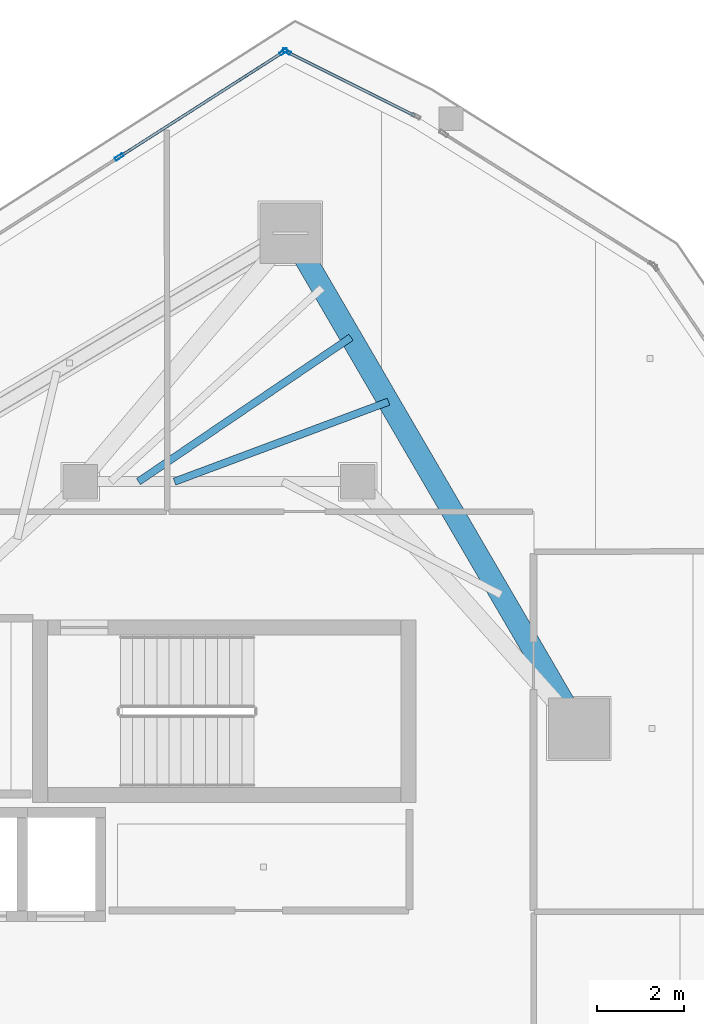
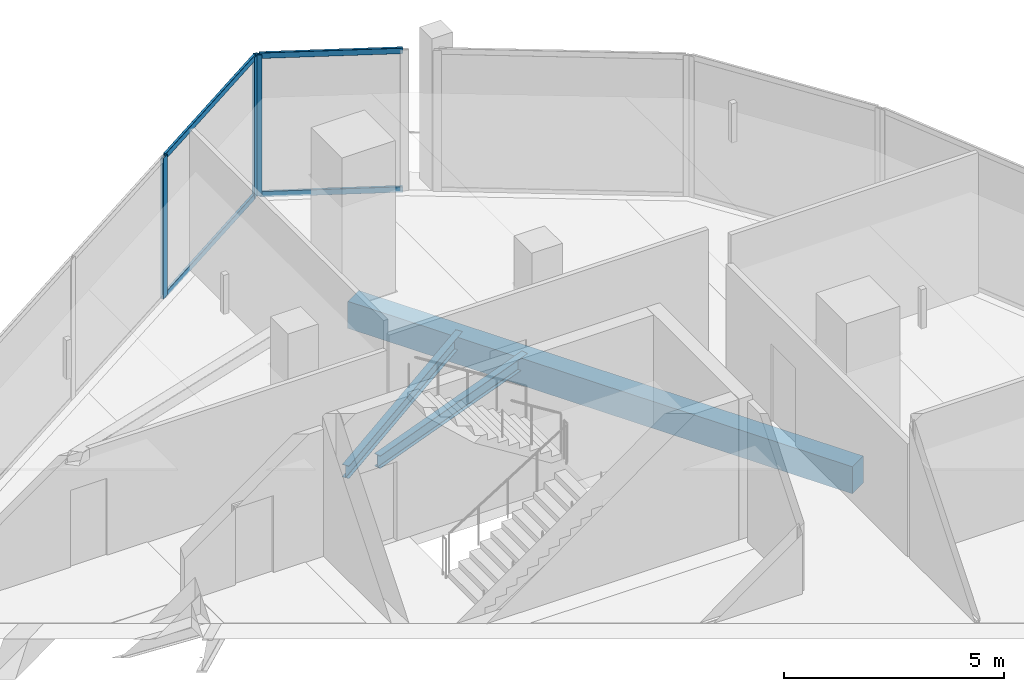
# One storey, part 14 of 25: 7 members, 3 beams, 2 elements without a shape of their own.
"""IFC4 building model written with IfcOpenShell, lengths in metres."""

from ifc_helpers import new_model, si_unit, direction, frame, origin, origin_2d, place, context, subcontext, project, spatial, rectangle, hollow_rectangle, i_section, extrude, material, layer, layer_set, material_profile, profile_set, type_object, element, aggregate, save


model = new_model("IFC4")

# Units and contexts
model_context = context("Model", 3, precision=1e-05, world=origin(), true_north=direction((0.0, 1.0)))
body_context = subcontext(model_context, "Body", "Model", "MODEL_VIEW")
ifc_project = project(units=[si_unit("LENGTHUNIT", "METRE"), si_unit("AREAUNIT", "SQUARE_METRE"), si_unit("VOLUMEUNIT", "CUBIC_METRE"), si_unit("PLANEANGLEUNIT", "RADIAN"), si_unit("MASSUNIT", "GRAM", prefix="KILO")], contexts=[model_context])

# Site, building, storey
site_placement = place(None, origin())
site = spatial("IfcSite", under=ifc_project, at=site_placement, CompositionType="ELEMENT")
building_placement = place(site_placement, origin())
building = spatial("IfcBuilding", under=site, at=building_placement, Name="Qorvath Tower", CompositionType="ELEMENT")
storey_placement = place(building_placement, frame((0.0, 0.0, 314.39990234375)))
storey = spatial("IfcBuildingStorey", under=building, at=storey_placement, Name="L73", CompositionType="ELEMENT", Elevation=314.39990234375)

# Beams
ifc_material_1 = material(Name="Steel ASTM A992 Grade 50", Category="steel")
ifc_material_profile_1 = material_profile(ifc_material_1, i_section(OverallWidth=0.1708984375, OverallDepth=0.35107421875, WebThickness=0.0068359375, FlangeThickness=0.009765625, FilletRadius=0.010009765625, at=origin_2d()), Name="W14x30")
ifc_profile_set_1 = profile_set([ifc_material_profile_1], Name="Steel ASTM A992 Grade 50")
beam_type_1 = type_object("IfcBeamType", Name="BM-FJ4", PredefinedType="JOIST", material=ifc_profile_set_1)
beam_1_placement = place(storey_placement, frame((-21.424072265625, 11.449951171875, -0.46533203125), z_axis=(0.936775909139, 0.349929844478, 0.0), x_axis=(-0.349929844478, 0.936775909139, 0.0)))
element("IfcBeam", 1, at=beam_1_placement, inside=storey, type_object=beam_type_1, Name="Composite Floor Joist NE5 L73", PredefinedType="JOIST", context=body_context, shape_type="SweptSolid", body=[
    extrude(i_section(OverallWidth=0.1708984375, OverallDepth=0.35107421875, WebThickness=0.0068359375, FlangeThickness=0.009765625, FilletRadius=0.010009765625, at=origin_2d()), origin(), (0.0, 0.0, 1.0), 5.268798828125),
])
beam_2_placement = place(storey_placement, frame((-22.256103515625, 11.449951171875, -0.46533203125), z_axis=(0.827400561462, 0.56161224247, 0.0), x_axis=(-0.56161224247, 0.827400561462, 0.0)))
element("IfcBeam", 2, at=beam_2_placement, inside=storey, type_object=beam_type_1, Name="Composite Floor Joist NE6 L73", PredefinedType="JOIST", context=body_context, shape_type="SweptSolid", body=[
    extrude(i_section(OverallWidth=0.1708984375, OverallDepth=0.35107421875, WebThickness=0.0068359375, FlangeThickness=0.009765625, FilletRadius=0.010009765625, at=origin_2d()), origin(), (0.0, 0.0, 1.0), 5.925537109375),
])
ifc_material_2 = material(Name="Concrete C45/55", Category="concrete")
ifc_material_profile_2 = material_profile(ifc_material_2, rectangle(XDim=0.5, YDim=0.75, at=origin_2d()), Name="RCB 750x500")
ifc_profile_set_2 = profile_set([ifc_material_profile_2], Name="Concrete C45/55")
beam_type_2 = type_object("IfcBeamType", Name="BM-RCB3", PredefinedType="SPANDREL", material=ifc_profile_set_2)
beam_3_placement = place(storey_placement, frame((-12.0966796875, 5.7578125, -0.664794921875), z_axis=(-0.503502256692, 0.863993910572, 0.0), x_axis=(-0.863993910572, -0.503502256692, 0.0)))
element("IfcBeam", 3, at=beam_3_placement, inside=storey, type_object=beam_type_2, Name="Perimeter Loggia Frame Beam MC5-MC6 L73", PredefinedType="SPANDREL", context=body_context, shape_type="SweptSolid", body=[
    extrude(rectangle(XDim=0.5, YDim=0.75, at=origin_2d()), origin(), (0.0, 0.0, 1.0), 13.215087890625),
])

# Curtain wall, member
ifc_material_3 = material(Name="Anodised aluminium and triple low-E glass", Category="aluminium")
ifc_layer = layer(ifc_material_3, 0.179931640625)
ifc_layer_set = layer_set([ifc_layer], Name="CW-SYS-4")
curtain_wall_type = type_object("IfcCurtainWallType", Name="CW-SYS-4", PredefinedType="NOTDEFINED", material=ifc_layer_set)
curtain_wall_1_placement = place(storey_placement, origin())
curtain_wall_1 = element("IfcCurtainWall", 4, at=curtain_wall_1_placement, inside=storey, type_object=curtain_wall_type, Name="Curtain Wall CW-4 CW-T-L73-15.1", PredefinedType="NOTDEFINED")
ifc_material_4 = material(Name="Anodised aluminium 6063-T6", Category="aluminium")
ifc_material_profile_3 = material_profile(ifc_material_4, hollow_rectangle(XDim=0.074951171875, YDim=0.199951171875, WallThickness=0.00390625, InnerFilletRadius=0.00390625, OuterFilletRadius=0.008056640625, at=origin_2d()), Name="CWM 200x75")
ifc_profile_set_3 = profile_set([ifc_material_profile_3], Name="Anodised aluminium 6063-T6")
member_type_1 = type_object("IfcMemberType", Name="CWM-200", PredefinedType="MULLION", material=ifc_profile_set_3)
member_1_placement = place(storey_placement, frame((-18.8388671875, 21.3662109375, 0.0), z_axis=(0.0, 0.0, 1.0), x_axis=(-0.447225307528, -0.89442133489, 0.0)))
member_1 = element("IfcMember", 5, at=member_1_placement, type_object=member_type_1, Name="CW-4 mullion 2", PredefinedType="MULLION", context=body_context, shape_type="SweptSolid", body=[
    extrude(hollow_rectangle(XDim=0.074951171875, YDim=0.199951171875, WallThickness=0.00390625, InnerFilletRadius=0.00390625, OuterFilletRadius=0.008056640625, at=origin_2d()), origin(), (0.0, 0.0, 1.0), 3.91015625),
])

# Curtain wall, members
curtain_wall_2_placement = place(storey_placement, origin())
curtain_wall_2 = element("IfcCurtainWall", 6, at=curtain_wall_2_placement, inside=storey, type_object=curtain_wall_type, Name="Curtain Wall CW-4 CW-T-L73-16.1", PredefinedType="NOTDEFINED")
member_2_placement = place(storey_placement, frame((-18.90380859375, 21.36279296875, 0.0), z_axis=(0.0, 0.0, 1.0), x_axis=(0.538536451315, -0.842602213743, 0.0)))
member_2 = element("IfcMember", 7, at=member_2_placement, type_object=member_type_1, Name="CW-4 mullion 1", PredefinedType="MULLION", context=body_context, shape_type="SweptSolid", body=[
    extrude(hollow_rectangle(XDim=0.074951171875, YDim=0.199951171875, WallThickness=0.00390625, InnerFilletRadius=0.00390625, OuterFilletRadius=0.008056640625, at=origin_2d()), origin(), (0.0, 0.0, 1.0), 3.91015625),
])
member_3_placement = place(storey_placement, frame((-22.70068359375, 18.936279296875, 0.0), z_axis=(0.0, 0.0, 1.0), x_axis=(0.538536451315, -0.842602213743, 0.0)))
member_3 = element("IfcMember", 8, at=member_3_placement, type_object=member_type_1, Name="CW-4 mullion 2", PredefinedType="MULLION", context=body_context, shape_type="SweptSolid", body=[
    extrude(hollow_rectangle(XDim=0.074951171875, YDim=0.199951171875, WallThickness=0.00390625, InnerFilletRadius=0.00390625, OuterFilletRadius=0.008056640625, at=origin_2d()), origin(), (0.0, 0.0, 1.0), 3.91015625),
])

# Member
ifc_material_5 = material(Name="Anodised aluminium 6063-T6", Category="aluminium")
ifc_material_profile_4 = material_profile(ifc_material_5, hollow_rectangle(XDim=0.06494140625, YDim=0.159912109375, WallThickness=0.00341796875, InnerFilletRadius=0.00341796875, OuterFilletRadius=0.007080078125, at=origin_2d()), Name="CWT 160x65")
ifc_profile_set_4 = profile_set([ifc_material_profile_4], Name="Anodised aluminium 6063-T6")
member_type_2 = type_object("IfcMemberType", Name="CWT-160", PredefinedType="USERDEFINED", material=ifc_profile_set_4)
member_4_placement = place(storey_placement, frame((-15.884765625, 19.88916015625, 0.032470703125), z_axis=(-0.894397281049, 0.447273410402, 0.0), x_axis=(-0.447273410402, -0.894397281049, 0.0)))
member_4 = element("IfcMember", 9, at=member_4_placement, type_object=member_type_2, Name="CW-4 transom 1.1", ObjectType="TRANSOM", PredefinedType="USERDEFINED", context=body_context, shape_type="SweptSolid", body=[
    extrude(hollow_rectangle(XDim=0.06494140625, YDim=0.159912109375, WallThickness=0.00341796875, InnerFilletRadius=0.00341796875, OuterFilletRadius=0.007080078125, at=origin_2d()), origin(), (0.0, 0.0, 1.0), 3.26513671875),
])

member_5_placement = place(storey_placement, frame((-15.884765625, 19.88916015625, 3.877685546875), z_axis=(-0.894397281049, 0.447273410402, 0.0), x_axis=(-0.447273410402, -0.894397281049, 0.0)))
member_5 = element("IfcMember", 10, at=member_5_placement, type_object=member_type_2, Name="CW-4 transom 1.2", ObjectType="TRANSOM", PredefinedType="USERDEFINED", context=body_context, shape_type="SweptSolid", body=[
    extrude(hollow_rectangle(XDim=0.06494140625, YDim=0.159912109375, WallThickness=0.00341796875, InnerFilletRadius=0.00341796875, OuterFilletRadius=0.007080078125, at=origin_2d()), origin(), (0.0, 0.0, 1.0), 3.26513671875),
])

aggregate(curtain_wall_1, [member_1, member_4, member_5])

member_6_placement = place(storey_placement, frame((-18.935546875, 21.3427734375, 0.032470703125), z_axis=(-0.842593471116, -0.538550129917, 0.0), x_axis=(0.538550129917, -0.842593471116, 0.0)))
member_6 = element("IfcMember", 11, at=member_6_placement, type_object=member_type_2, Name="CW-4 transom 1.1", ObjectType="TRANSOM", PredefinedType="USERDEFINED", context=body_context, shape_type="SweptSolid", body=[
    extrude(hollow_rectangle(XDim=0.06494140625, YDim=0.159912109375, WallThickness=0.00341796875, InnerFilletRadius=0.00341796875, OuterFilletRadius=0.007080078125, at=origin_2d()), origin(), (0.0, 0.0, 1.0), 4.430908203125),
])

member_7_placement = place(storey_placement, frame((-18.935546875, 21.3427734375, 3.877685546875), z_axis=(-0.842593471116, -0.538550129917, 0.0), x_axis=(0.538550129917, -0.842593471116, 0.0)))
member_7 = element("IfcMember", 12, at=member_7_placement, type_object=member_type_2, Name="CW-4 transom 1.2", ObjectType="TRANSOM", PredefinedType="USERDEFINED", context=body_context, shape_type="SweptSolid", body=[
    extrude(hollow_rectangle(XDim=0.06494140625, YDim=0.159912109375, WallThickness=0.00341796875, InnerFilletRadius=0.00341796875, OuterFilletRadius=0.007080078125, at=origin_2d()), origin(), (0.0, 0.0, 1.0), 4.430908203125),
])

aggregate(curtain_wall_2, [member_2, member_3, member_6, member_7])

save(model, "model.ifc")
